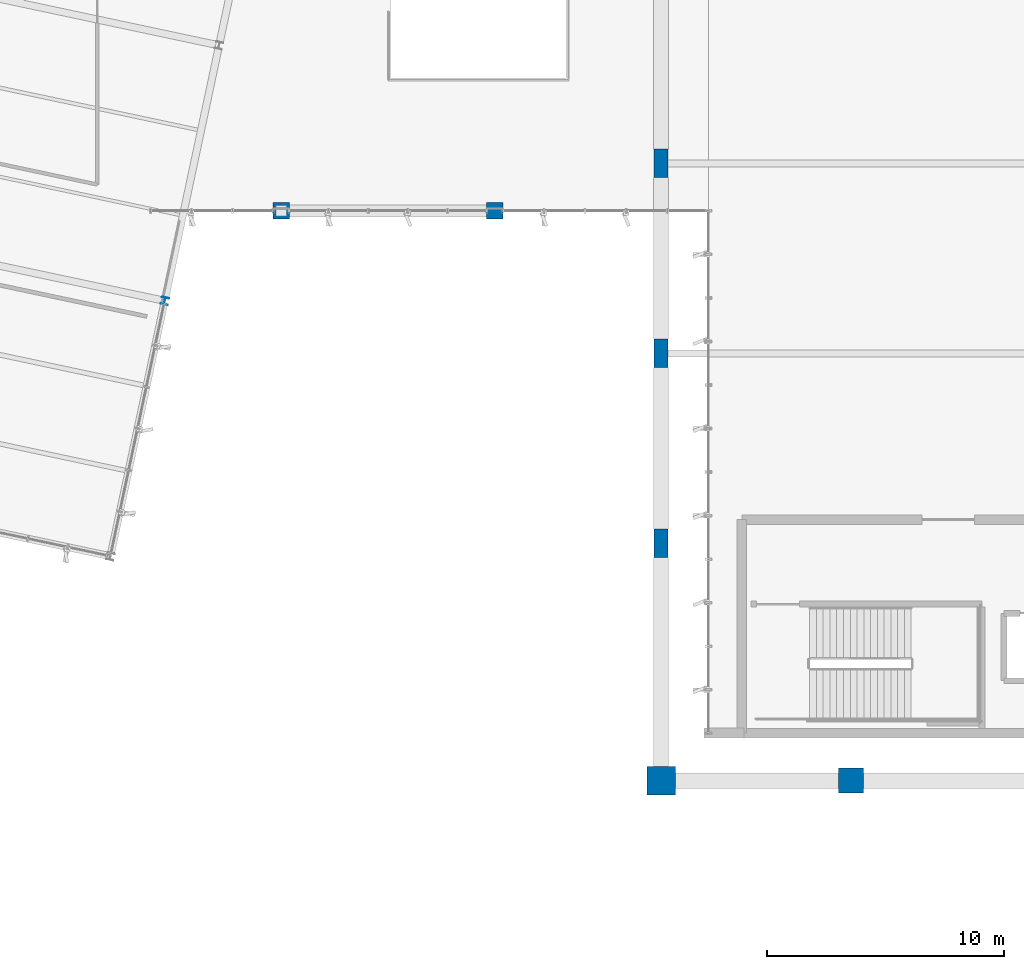
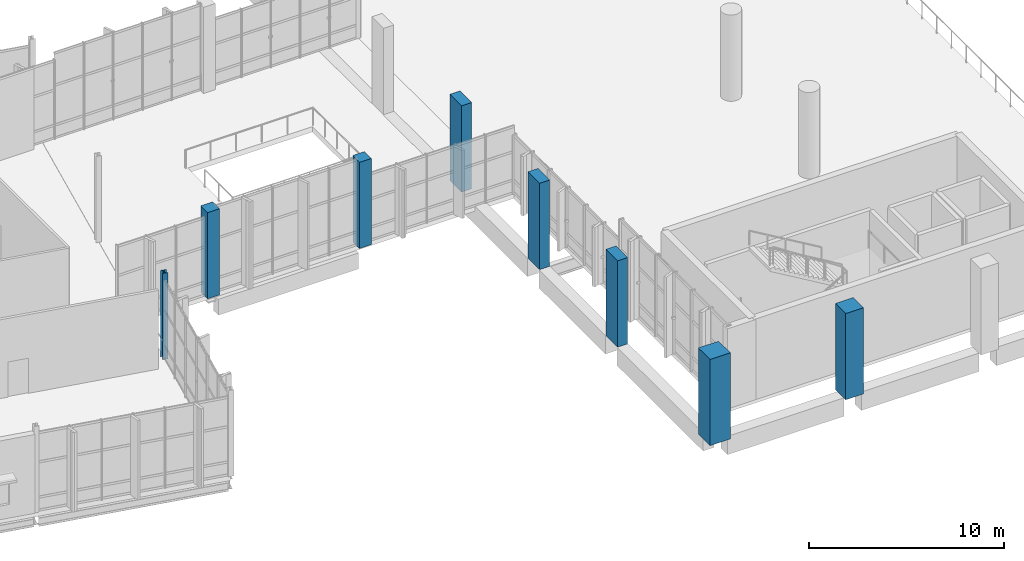
# One storey, part 3 of 176: 8 columns.
"""IFC4 building model written with IfcOpenShell, lengths in metres."""

from ifc_helpers import new_model, si_unit, direction, frame, origin, origin_2d, place, context, subcontext, project, spatial, rectangle, i_section, extrude, material, material_profile, profile_set, type_object, element, save


model = new_model("IFC4")

# Units and contexts
model_context = context("Model", 3, precision=1e-05, world=origin(), true_north=direction((0.0, 1.0)))
body_context = subcontext(model_context, "Body", "Model", "MODEL_VIEW")
ifc_project = project(units=[si_unit("LENGTHUNIT", "METRE"), si_unit("AREAUNIT", "SQUARE_METRE"), si_unit("VOLUMEUNIT", "CUBIC_METRE"), si_unit("PLANEANGLEUNIT", "RADIAN"), si_unit("MASSUNIT", "GRAM", prefix="KILO")], contexts=[model_context])

# Site, building, storey
site_placement = place(None, origin())
site = spatial("IfcSite", under=ifc_project, at=site_placement, CompositionType="ELEMENT")
building_placement = place(site_placement, origin())
building = spatial("IfcBuilding", under=site, at=building_placement, Name="Khorjan Park Terminus", CompositionType="ELEMENT")
storey_placement = place(building_placement, frame((0.0, 0.0, 6.0)))
storey = spatial("IfcBuildingStorey", under=building, at=storey_placement, Name="L01", CompositionType="ELEMENT", Elevation=6.0)

# Columns
ifc_material_1 = material(Name="Concrete C50/60", Category="concrete")
ifc_material_profile_1 = material_profile(ifc_material_1, rectangle(XDim=0.6, YDim=1.2, at=origin_2d()), Name="RC 600x1200")
ifc_profile_set_1 = profile_set([ifc_material_profile_1], Name="Concrete C50/60")
column_type_1 = type_object("IfcColumnType", Name="COL-BL1200", PredefinedType="COLUMN", material=ifc_profile_set_1)
for number, where, z_axis, x_axis, name in (
    (1, (48.0, 36.0, 0.0), (0.0, 0.0, 1.0), (1.0, 0.0, 0.0), "Structural column C-BL12 (L01 #237)"),
    (2, (48.0, 44.0, 0.0), (0.0, 0.0, 1.0), (1.0, 0.0, 0.0), "Structural column C-BL12 (L01 #242)"),
    (3, (48.0, 52.0, 0.0), (0.0, 0.0, 1.0), (1.0, 0.0, 0.0), "Structural column C-BL12 (L01 #247)"),
):
    element("IfcColumn", number, at=place(storey_placement, frame(where, z_axis=z_axis, x_axis=x_axis)), inside=storey, type_object=column_type_1, Name=name, PredefinedType="COLUMN", context=body_context, shape_type="SweptSolid", body=[
        extrude(rectangle(XDim=0.6, YDim=1.2, at=origin_2d()), origin(), (0.0, 0.0, 1.0), 5.4),
    ])
ifc_material_2 = material(Name="Steel S355", Category="steel")
ifc_material_profile_2 = material_profile(ifc_material_2, i_section(OverallWidth=0.3, OverallDepth=0.3, WebThickness=0.011, FlangeThickness=0.019, FilletRadius=0.027, at=origin_2d()), Name="HEB 300")
ifc_profile_set_2 = profile_set([ifc_material_profile_2], Name="Steel S355")
column_type_2 = type_object("IfcColumnType", Name="COL-HB300E", PredefinedType="COLUMN", material=ifc_profile_set_2)
column_1_placement = place(storey_placement, frame((27.099, 46.21, 0.0), z_axis=(0.0, 0.0, 1.0), x_axis=(0.978147600734, -0.207911690818, 0.0)))
element("IfcColumn", 4, at=column_1_placement, inside=storey, type_object=column_type_2, Name="Structural column SC-H30 (L01 #643)", PredefinedType="COLUMN", context=body_context, shape_type="SweptSolid", body=[
    extrude(i_section(OverallWidth=0.3, OverallDepth=0.3, WebThickness=0.011, FlangeThickness=0.019, FilletRadius=0.027, at=origin_2d()), origin(), (0.0, 0.0, 1.0), 5.4),
])
ifc_material_profile_3 = material_profile(ifc_material_1, rectangle(XDim=1.05, YDim=1.05, at=origin_2d()), Name="RC 1050x1050")
ifc_profile_set_3 = profile_set([ifc_material_profile_3], Name="Concrete C50/60")
column_type_3 = type_object("IfcColumnType", Name="COL-RC1050", PredefinedType="COLUMN", material=ifc_profile_set_3)
column_2_placement = place(storey_placement, frame((56.0, 26.0, 0.0), z_axis=(0.0, 0.0, 1.0), x_axis=(1.0, 0.0, 0.0)))
element("IfcColumn", 5, at=column_2_placement, inside=storey, type_object=column_type_3, Name="Structural column C-RC105 (L01 #272)", PredefinedType="COLUMN", context=body_context, shape_type="SweptSolid", body=[
    extrude(rectangle(XDim=1.05, YDim=1.05, at=origin_2d()), origin(), (0.0, 0.0, 1.0), 5.4),
])
ifc_material_profile_4 = material_profile(ifc_material_1, rectangle(XDim=1.2, YDim=1.2, at=origin_2d()), Name="RC 1200x1200")
ifc_profile_set_4 = profile_set([ifc_material_profile_4], Name="Concrete C50/60")
column_type_4 = type_object("IfcColumnType", Name="COL-RC1200", PredefinedType="COLUMN", material=ifc_profile_set_4)
column_3_placement = place(storey_placement, frame((48.0, 26.0, 0.0), z_axis=(0.0, 0.0, 1.0), x_axis=(1.0, 0.0, 0.0)))
element("IfcColumn", 6, at=column_3_placement, inside=storey, type_object=column_type_4, Name="Structural column C-RC12 (L01 #232)", PredefinedType="COLUMN", context=body_context, shape_type="SweptSolid", body=[
    extrude(rectangle(XDim=1.2, YDim=1.2, at=origin_2d()), origin(), (0.0, 0.0, 1.0), 5.4),
])
ifc_material_3 = material(Name="Concrete C40/50", Category="concrete")
ifc_material_profile_5 = material_profile(ifc_material_3, rectangle(XDim=0.7, YDim=0.7, at=origin_2d()), Name="RC 700x700")
ifc_profile_set_5 = profile_set([ifc_material_profile_5], Name="Concrete C40/50")
column_type_5 = type_object("IfcColumnType", Name="COL-RC700", PredefinedType="COLUMN", material=ifc_profile_set_5)
for number, where, z_axis, x_axis, name in (
    (7, (32.0, 50.0, 0.0), (0.0, 0.0, 1.0), (1.0, 0.0, 0.0), "Structural column C-RC07 (L01 #654)"),
    (8, (41.0, 50.0, 0.0), (0.0, 0.0, 1.0), (1.0, 0.0, 0.0), "Structural column C-RC07 (L01 #657)"),
):
    element("IfcColumn", number, at=place(storey_placement, frame(where, z_axis=z_axis, x_axis=x_axis)), inside=storey, type_object=column_type_5, Name=name, PredefinedType="COLUMN", context=body_context, shape_type="SweptSolid", body=[
        extrude(rectangle(XDim=0.7, YDim=0.7, at=origin_2d()), origin(), (0.0, 0.0, 1.0), 5.4),
    ])

save(model, "model.ifc")
